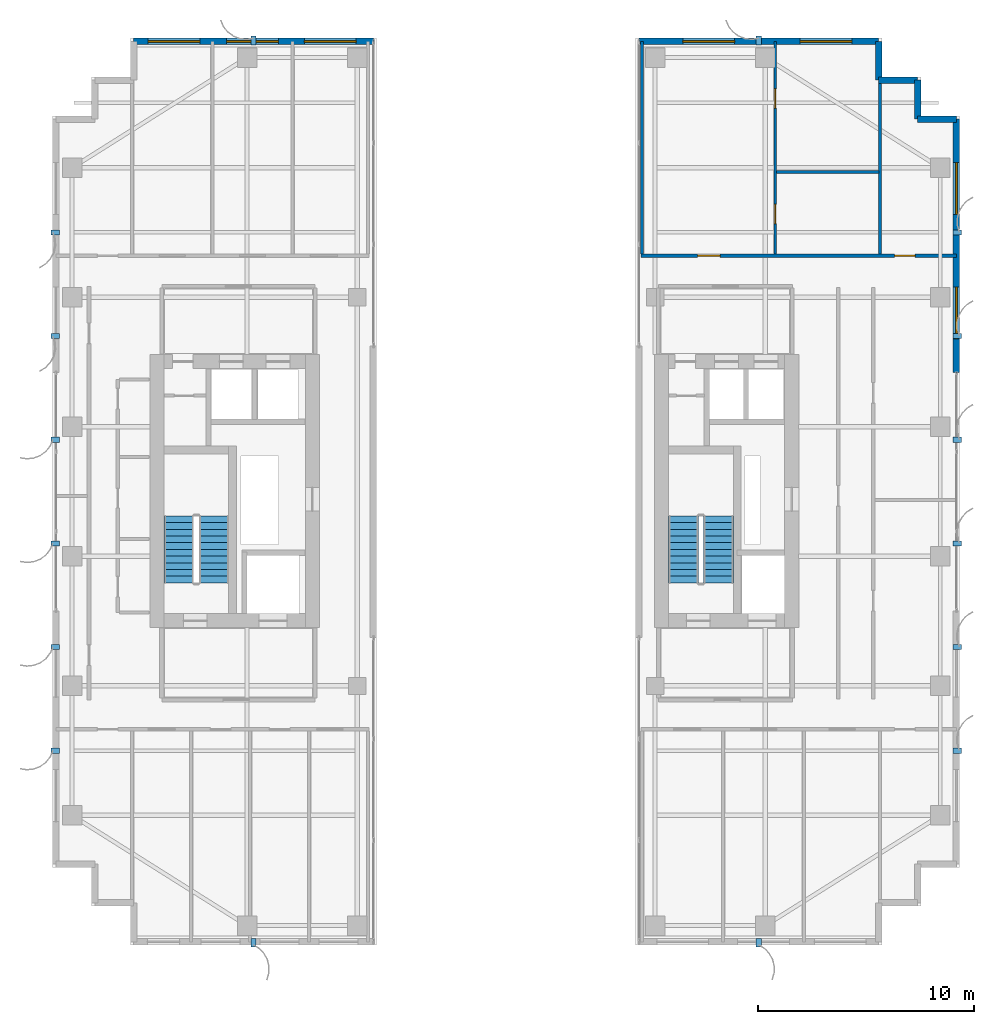
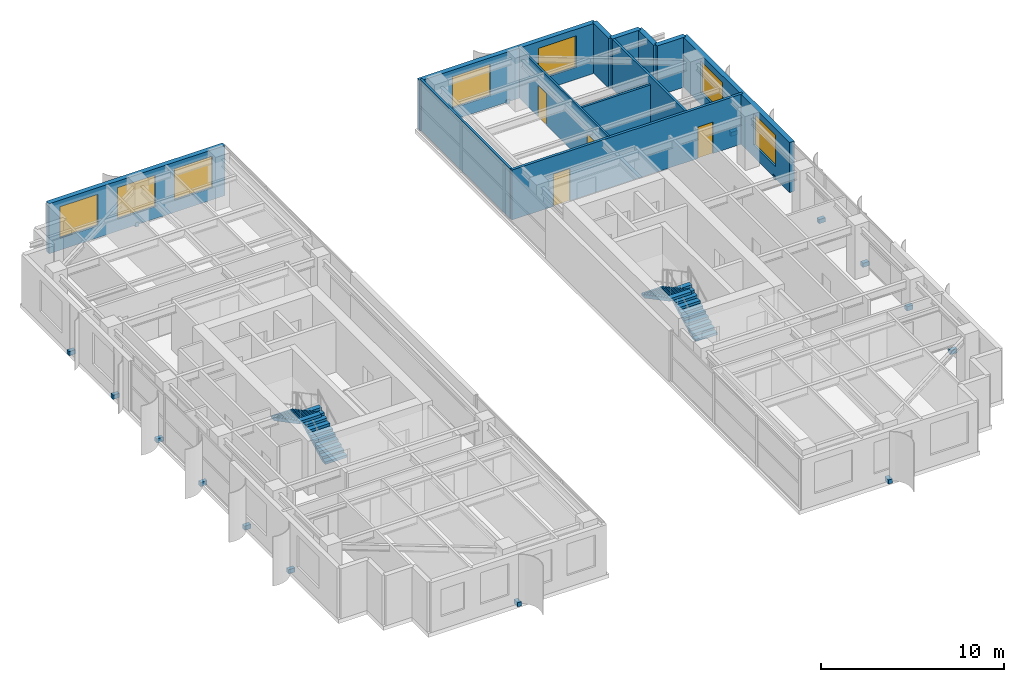
# One storey, part 19 of 22: 16 discrete accessories, 12 walls, 7 windows, 4 doors, 4 stair flights, 11 openings, 2 elements without a shape of their own.
"""IFC4 building model written with IfcOpenShell, lengths in metres."""

from ifc_helpers import new_model, si_unit, direction, frame, frame_2d, origin, origin_2d, place, context, subcontext, project, spatial, polyline, rectangle, outline, extrude, source, transform, mapped, material, layer, layer_set, type_object, element, fill, aggregate, save


model = new_model("IFC4")

# Units and contexts
model_context = context("Model", 3, precision=1e-05, world=origin(), true_north=direction((0.0, 1.0)))
body_context = subcontext(model_context, "Body", "Model", "MODEL_VIEW")
ifc_project = project(units=[si_unit("LENGTHUNIT", "METRE"), si_unit("AREAUNIT", "SQUARE_METRE"), si_unit("VOLUMEUNIT", "CUBIC_METRE"), si_unit("PLANEANGLEUNIT", "RADIAN"), si_unit("MASSUNIT", "GRAM", prefix="KILO")], contexts=[model_context])

# Site, building, storey
site_placement = place(None, origin())
site = spatial("IfcSite", under=ifc_project, at=site_placement, CompositionType="ELEMENT")
building_placement = place(site_placement, origin())
building = spatial("IfcBuilding", under=site, at=building_placement, Name="Khoralis Quay Care Tower", CompositionType="ELEMENT")
storey_placement = place(building_placement, frame((0.0, 0.0, 188.10009765625)))
storey = spatial("IfcBuildingStorey", under=building, at=storey_placement, Name="L49", CompositionType="ELEMENT", Elevation=188.10009765625)

# Wall, openings, doors
ifc_material_1 = material(Name="Gypsum plasterboard on acoustic metal stud")
ifc_layer_1 = layer(ifc_material_1, 0.1650390625)
ifc_layer_set_1 = layer_set([ifc_layer_1], Name="Gypsum plasterboard on acoustic metal stud")
wall_type_1 = type_object("IfcWallType", Name="WL-CORR-165", PredefinedType="PARTITIONING", material=ifc_layer_set_1)
wall_1_placement = place(storey_placement, frame((30.25, 31.919921875, 0.0), z_axis=(0.0, 0.0, 1.0), x_axis=(1.0, 0.0, 0.0)))
wall_1 = element("IfcWall", 1, at=wall_1_placement, inside=storey, type_object=wall_type_1, Name="L49 East Wing North Corridor Wall", PredefinedType="PARTITIONING", context=body_context, shape_type="SweptSolid", body=[
    extrude(rectangle(XDim=14.60498046875, YDim=0.1650390625, at=frame_2d((7.302490234375, 0.0))), origin(), (0.0, 0.0, 1.0), 3.33984375),
])
opening_1_placement = place(wall_1_placement, frame((2.610595703125, 0.0, 0.0)))
opening_1 = element("IfcOpeningElement", 2, at=opening_1_placement, cuts=wall_1, Name="Opening UD1", PredefinedType="OPENING", context=body_context, shape_type="SweptSolid", body=[
    extrude(rectangle(XDim=1.050048828125, YDim=2.14990234375, at=frame_2d((0.52490234375, 1.074951171875))), frame((0.0, 0.092529296875, 0.0), z_axis=(0.0, -1.0, 0.0), x_axis=(1.0, 0.0, 0.0)), (0.0, 0.0, 1.0), 0.18505859375),
])
opening_2_placement = place(wall_1_placement, frame((11.735107421875, 0.0, 0.0)))
opening_2 = element("IfcOpeningElement", 3, at=opening_2_placement, cuts=wall_1, Name="Opening ID1", PredefinedType="OPENING", context=body_context, shape_type="SweptSolid", body=[
    extrude(rectangle(XDim=0.949951171875, YDim=2.10009765625, at=frame_2d((0.47509765625, 1.050048828125))), frame((0.0, 0.092529296875, 0.0), z_axis=(0.0, -1.0, 0.0), x_axis=(1.0, 0.0, 0.0)), (0.0, 0.0, 1.0), 0.18505859375),
])
ifc_material_2 = material(Name="Acoustic hardwood timber", Category="wood")
door_type_1 = type_object("IfcDoorType", Name="DR-ROOM-950X2100", OperationType="NOTDEFINED", PredefinedType="DOOR", material=ifc_material_2)
shared_shape_1 = source(origin(), body_context, "Body", "SweptSolid", [
    extrude(rectangle(XDim=0.949951171875, YDim=2.10009765625, at=frame_2d((0.47509765625, 1.050048828125))), frame((0.0, 0.02490234375, 0.0), z_axis=(0.0, -1.0, 0.0), x_axis=(1.0, 0.0, 0.0)), (0.0, 0.0, 1.0), 0.050048828125),
])
door_1_placement = place(opening_2_placement, origin())
door_1 = element("IfcDoor", 4, at=door_1_placement, inside=storey, type_object=door_type_1, Name="L49 NE Corner Door", OperationType="SINGLE_SWING_LEFT", OverallHeight=2.10009765625, OverallWidth=0.949951171875, PredefinedType="DOOR", context=body_context, shape_type="MappedRepresentation", body=[
    mapped(shared_shape_1, transform((0.0, 0.0, 0.0), scale=1.0)),
])
fill(opening_2, door_1)
door_type_2 = type_object("IfcDoorType", Name="DR-SUITE-1050X2150", OperationType="NOTDEFINED", PredefinedType="DOOR", material=ifc_material_2)
shared_shape_2 = source(origin(), body_context, "Body", "SweptSolid", [
    extrude(rectangle(XDim=1.050048828125, YDim=2.14990234375, at=frame_2d((0.52490234375, 1.074951171875))), frame((0.0, 0.02490234375, 0.0), z_axis=(0.0, -1.0, 0.0), x_axis=(1.0, 0.0, 0.0)), (0.0, 0.0, 1.0), 0.050048828125),
])
door_2_placement = place(opening_1_placement, origin())
door_2 = element("IfcDoor", 5, at=door_2_placement, inside=storey, type_object=door_type_2, Name="L49 Studio EN0 Entrance", OperationType="SINGLE_SWING_RIGHT", OverallHeight=2.14990234375, OverallWidth=1.050048828125, PredefinedType="DOOR", context=body_context, shape_type="MappedRepresentation", body=[
    mapped(shared_shape_2, transform((0.0, 0.0, 0.0), scale=1.0)),
])
fill(opening_1, door_2)

# Wall, openings, windows
ifc_material_3 = material(Name="Precast concrete C45/55", Category="concrete")
ifc_layer_2 = layer(ifc_material_3, 0.300048828125)
ifc_layer_set_2 = layer_set([ifc_layer_2], Name="Precast concrete C45/55")
wall_type_2 = type_object("IfcWallType", Name="WL-EXT-REF-300", PredefinedType="SOLIDWALL", material=ifc_layer_set_2)
wall_2_placement = place(storey_placement, frame((17.85009765625, 41.85009765625, 0.0), z_axis=(0.0, 0.0, 1.0), x_axis=(-1.0, 0.0, 0.0)))
wall_2 = element("IfcWall", 6, at=wall_2_placement, inside=storey, type_object=wall_type_2, Name="L49 External Facade Wall WL-EXT-L49-P1-E2", PredefinedType="SOLIDWALL", context=body_context, shape_type="SweptSolid", body=[
    extrude(rectangle(XDim=11.10009765625, YDim=0.300048828125, at=frame_2d((5.550048828125, 0.0))), origin(), (0.0, 0.0, 1.0), 3.33984375),
])
opening_3_placement = place(wall_2_placement, frame((0.794921875, 0.0, 0.800048828125)))
opening_3 = element("IfcOpeningElement", 7, at=opening_3_placement, cuts=wall_2, Name="Opening W1", PredefinedType="OPENING", context=body_context, shape_type="SweptSolid", body=[
    extrude(rectangle(XDim=2.39990234375, YDim=2.10009765625, at=frame_2d((1.199951171875, 1.050048828125))), frame((0.0, 0.16015625, 0.0), z_axis=(0.0, -1.0, 0.0), x_axis=(1.0, 0.0, 0.0)), (0.0, 0.0, 1.0), 0.320068359375),
])
opening_4_placement = place(wall_2_placement, frame((4.39990234375, 0.0, 0.800048828125)))
opening_4 = element("IfcOpeningElement", 8, at=opening_4_placement, cuts=wall_2, Name="Opening W1", PredefinedType="OPENING", context=body_context, shape_type="SweptSolid", body=[
    extrude(rectangle(XDim=2.39990234375, YDim=2.10009765625, at=frame_2d((1.199951171875, 1.050048828125))), frame((0.0, 0.16015625, 0.0), z_axis=(0.0, -1.0, 0.0), x_axis=(1.0, 0.0, 0.0)), (0.0, 0.0, 1.0), 0.320068359375),
])
opening_5_placement = place(wall_2_placement, frame((8.030029296875, 0.0, 0.800048828125)))
opening_5 = element("IfcOpeningElement", 9, at=opening_5_placement, cuts=wall_2, Name="Opening W1", PredefinedType="OPENING", context=body_context, shape_type="SweptSolid", body=[
    extrude(rectangle(XDim=2.39990234375, YDim=2.10009765625, at=frame_2d((1.199951171875, 1.050048828125))), frame((0.0, 0.16015625, 0.0), z_axis=(0.0, -1.0, 0.0), x_axis=(1.0, 0.0, 0.0)), (0.0, 0.0, 1.0), 0.320068359375),
])
ifc_material_4 = material(Name="Low-E solar-control double glazing", Category="glass")
window_type = type_object("IfcWindowType", Name="WN-POD-2400X2100", PartitioningType="SINGLE_PANEL", PredefinedType="WINDOW", material=ifc_material_4)
shared_shape_3 = source(origin(), body_context, "Body", "SweptSolid", [
    extrude(rectangle(XDim=2.39990234375, YDim=2.10009765625, at=frame_2d((1.199951171875, 1.050048828125))), frame((0.0, 0.030029296875, 0.0), z_axis=(0.0, -1.0, 0.0), x_axis=(1.0, 0.0, 0.0)), (0.0, 0.0, 1.0), 0.06005859375),
])
window_1_placement = place(opening_3_placement, origin())
window_1 = element("IfcWindow", 10, at=window_1_placement, inside=storey, type_object=window_type, Name="WN-L49-P1-E2 Facade Window 01", OverallHeight=2.10009765625, OverallWidth=2.39990234375, PartitioningType="SINGLE_PANEL", PredefinedType="WINDOW", context=body_context, shape_type="MappedRepresentation", body=[
    mapped(shared_shape_3, transform((0.0, 0.0, 0.0), scale=1.0)),
])
fill(opening_3, window_1)
window_2_placement = place(opening_4_placement, origin())
window_2 = element("IfcWindow", 11, at=window_2_placement, inside=storey, type_object=window_type, Name="WN-L49-P1-E2 Facade Window 02", OverallHeight=2.10009765625, OverallWidth=2.39990234375, PartitioningType="SINGLE_PANEL", PredefinedType="WINDOW", context=body_context, shape_type="MappedRepresentation", body=[
    mapped(shared_shape_3, transform((0.0, 0.0, 0.0), scale=1.0)),
])
fill(opening_4, window_2)
window_3_placement = place(opening_5_placement, origin())
window_3 = element("IfcWindow", 12, at=window_3_placement, inside=storey, type_object=window_type, Name="WN-L49-P1-E2 Facade Window 03", OverallHeight=2.10009765625, OverallWidth=2.39990234375, PartitioningType="SINGLE_PANEL", PredefinedType="WINDOW", context=body_context, shape_type="MappedRepresentation", body=[
    mapped(shared_shape_3, transform((0.0, 0.0, 0.0), scale=1.0)),
])
fill(opening_5, window_3)

wall_3_placement = place(storey_placement, frame((44.85009765625, 26.52001953125, 0.0), z_axis=(0.0, 0.0, 1.0), x_axis=(0.0, 1.0, 0.0)))
wall_3 = element("IfcWall", 13, at=wall_3_placement, inside=storey, type_object=wall_type_2, Name="L49 External Facade Wall WL-EXT-L49-P2-E5B", PredefinedType="SOLIDWALL", context=body_context, shape_type="SweptSolid", body=[
    extrude(rectangle(XDim=11.72998046875, YDim=0.300048828125, at=frame_2d((5.864990234375, 0.0))), origin(), (0.0, 0.0, 1.0), 3.33984375),
])
opening_6_placement = place(wall_3_placement, frame((1.550048828125, 0.0, 0.800048828125)))
opening_6 = element("IfcOpeningElement", 14, at=opening_6_placement, cuts=wall_3, Name="Opening W1", PredefinedType="OPENING", context=body_context, shape_type="SweptSolid", body=[
    extrude(rectangle(XDim=2.39990234375, YDim=2.10009765625, at=frame_2d((1.199951171875, 1.050048828125))), frame((0.0, 0.16015625, 0.0), z_axis=(0.0, -1.0, 0.0), x_axis=(1.0, 0.0, 0.0)), (0.0, 0.0, 1.0), 0.320068359375),
])
opening_7_placement = place(wall_3_placement, frame((7.31494140625, 0.0, 0.800048828125)))
opening_7 = element("IfcOpeningElement", 15, at=opening_7_placement, cuts=wall_3, Name="Opening W1", PredefinedType="OPENING", context=body_context, shape_type="SweptSolid", body=[
    extrude(rectangle(XDim=2.39990234375, YDim=2.10009765625, at=frame_2d((1.199951171875, 1.050048828125))), frame((0.0, 0.16015625, 0.0), z_axis=(0.0, -1.0, 0.0), x_axis=(1.0, 0.0, 0.0)), (0.0, 0.0, 1.0), 0.320068359375),
])
window_4_placement = place(opening_6_placement, origin())
window_4 = element("IfcWindow", 16, at=window_4_placement, inside=storey, type_object=window_type, Name="WN-L49-P2-E5B Facade Window 01", OverallHeight=2.10009765625, OverallWidth=2.39990234375, PartitioningType="SINGLE_PANEL", PredefinedType="WINDOW", context=body_context, shape_type="MappedRepresentation", body=[
    mapped(shared_shape_3, transform((0.0, 0.0, 0.0), scale=1.0)),
])
fill(opening_6, window_4)
window_5_placement = place(opening_7_placement, origin())
window_5 = element("IfcWindow", 17, at=window_5_placement, inside=storey, type_object=window_type, Name="WN-L49-P2-E5B Facade Window 02", OverallHeight=2.10009765625, OverallWidth=2.39990234375, PartitioningType="SINGLE_PANEL", PredefinedType="WINDOW", context=body_context, shape_type="MappedRepresentation", body=[
    mapped(shared_shape_3, transform((0.0, 0.0, 0.0), scale=1.0)),
])
fill(opening_7, window_5)

# Walls
for number, where, z_axis, x_axis, name in (
    (18, (44.85009765625, 38.25, 0.0), (0.0, 0.0, 1.0), (-1.0, 0.0, 0.0), "L49 External Facade Wall WL-EXT-L49-P2-C6"),
    (19, (43.050048828125, 38.25, 0.0), (0.0, 0.0, 1.0), (0.0, 1.0, 0.0), "L49 External Facade Wall WL-EXT-L49-P2-C7"),
    (20, (43.050048828125, 40.050048828125, 0.0), (0.0, 0.0, 1.0), (-1.0, 0.0, 0.0), "L49 External Facade Wall WL-EXT-L49-P2-C8"),
    (21, (41.25, 40.050048828125, 0.0), (0.0, 0.0, 1.0), (0.0, 1.0, 0.0), "L49 External Facade Wall WL-EXT-L49-P2-C9"),
):
    element("IfcWall", number, at=place(storey_placement, frame(where, z_axis=z_axis, x_axis=x_axis)), inside=storey, type_object=wall_type_2, Name=name, PredefinedType="SOLIDWALL", context=body_context, shape_type="SweptSolid", body=[
        extrude(rectangle(XDim=1.800048828125, YDim=0.300048828125, at=frame_2d((0.89990234375, 0.0))), origin(), (0.0, 0.0, 1.0), 3.33984375),
    ])

# Wall, openings, windows
wall_4_placement = place(storey_placement, frame((41.25, 41.85009765625, 0.0), z_axis=(0.0, 0.0, 1.0), x_axis=(-1.0, 0.0, 0.0)))
wall_4 = element("IfcWall", 22, at=wall_4_placement, inside=storey, type_object=wall_type_2, Name="L49 External Facade Wall WL-EXT-L49-P2-E10", PredefinedType="SOLIDWALL", context=body_context, shape_type="SweptSolid", body=[
    extrude(rectangle(XDim=11.10009765625, YDim=0.300048828125, at=frame_2d((5.550048828125, 0.0))), origin(), (0.0, 0.0, 1.0), 3.33984375),
])
opening_8_placement = place(wall_4_placement, frame((1.239501953125, 0.0, 0.800048828125)))
opening_8 = element("IfcOpeningElement", 23, at=opening_8_placement, cuts=wall_4, Name="Opening W1", PredefinedType="OPENING", context=body_context, shape_type="SweptSolid", body=[
    extrude(rectangle(XDim=2.39990234375, YDim=2.10009765625, at=frame_2d((1.199951171875, 1.050048828125))), frame((0.0, 0.16015625, 0.0), z_axis=(0.0, -1.0, 0.0), x_axis=(1.0, 0.0, 0.0)), (0.0, 0.0, 1.0), 0.320068359375),
])
opening_9_placement = place(wall_4_placement, frame((6.66455078125, 0.0, 0.800048828125)))
opening_9 = element("IfcOpeningElement", 24, at=opening_9_placement, cuts=wall_4, Name="Opening W1", PredefinedType="OPENING", context=body_context, shape_type="SweptSolid", body=[
    extrude(rectangle(XDim=2.39990234375, YDim=2.10009765625, at=frame_2d((1.199951171875, 1.050048828125))), frame((0.0, 0.16015625, 0.0), z_axis=(0.0, -1.0, 0.0), x_axis=(1.0, 0.0, 0.0)), (0.0, 0.0, 1.0), 0.320068359375),
])
window_6_placement = place(opening_8_placement, origin())
window_6 = element("IfcWindow", 25, at=window_6_placement, inside=storey, type_object=window_type, Name="WN-L49-P2-E10 Facade Window 01", OverallHeight=2.10009765625, OverallWidth=2.39990234375, PartitioningType="SINGLE_PANEL", PredefinedType="WINDOW", context=body_context, shape_type="MappedRepresentation", body=[
    mapped(shared_shape_3, transform((0.0, 0.0, 0.0), scale=1.0)),
])
fill(opening_8, window_6)
window_7_placement = place(opening_9_placement, origin())
window_7 = element("IfcWindow", 26, at=window_7_placement, inside=storey, type_object=window_type, Name="WN-L49-P2-E10 Facade Window 02", OverallHeight=2.10009765625, OverallWidth=2.39990234375, PartitioningType="SINGLE_PANEL", PredefinedType="WINDOW", context=body_context, shape_type="MappedRepresentation", body=[
    mapped(shared_shape_3, transform((0.0, 0.0, 0.0), scale=1.0)),
])
fill(opening_9, window_7)

# Wall, openings, doors
ifc_layer_3 = layer(ifc_material_1, 0.114990234375)
ifc_layer_set_3 = layer_set([ifc_layer_3], Name="Gypsum plasterboard on acoustic metal stud")
wall_type_3 = type_object("IfcWallType", Name="WL-PART-115", PredefinedType="PARTITIONING", material=ifc_layer_set_3)
wall_5_placement = place(storey_placement, frame((36.470947265625, 31.99755859375, 0.0), z_axis=(0.0, 0.0, 1.0), x_axis=(0.0, 1.0, 0.0)))
wall_5 = element("IfcWall", 27, at=wall_5_placement, inside=storey, type_object=wall_type_3, Name="L49 Studio 0 Internal Wall", PredefinedType="PARTITIONING", context=body_context, shape_type="SweptSolid", body=[
    extrude(rectangle(XDim=9.857421875, YDim=0.114990234375, at=frame_2d((4.9287109375, 0.0))), origin(), (0.0, 0.0, 1.0), 3.33984375),
])
opening_10_placement = place(wall_5_placement, frame((6.757568359375, 0.0, 0.0)))
opening_10 = element("IfcOpeningElement", 28, at=opening_10_placement, cuts=wall_5, Name="Opening WD1", PredefinedType="OPENING", context=body_context, shape_type="SweptSolid", body=[
    extrude(rectangle(XDim=0.89990234375, YDim=2.10009765625, at=frame_2d((0.449951171875, 1.050048828125))), frame((0.0, 0.0673828125, 0.0), z_axis=(0.0, -1.0, 0.0), x_axis=(1.0, 0.0, 0.0)), (0.0, 0.0, 1.0), 0.135009765625),
])
opening_11_placement = place(wall_5_placement, frame((1.407470703125, 0.0, 0.0)))
opening_11 = element("IfcOpeningElement", 29, at=opening_11_placement, cuts=wall_5, Name="Opening WD1", PredefinedType="OPENING", context=body_context, shape_type="SweptSolid", body=[
    extrude(rectangle(XDim=0.89990234375, YDim=2.10009765625, at=frame_2d((0.449951171875, 1.050048828125))), frame((0.0, 0.0673828125, 0.0), z_axis=(0.0, -1.0, 0.0), x_axis=(1.0, 0.0, 0.0)), (0.0, 0.0, 1.0), 0.135009765625),
])
door_type_3 = type_object("IfcDoorType", Name="DR-BATH-900X2100", OperationType="NOTDEFINED", PredefinedType="DOOR", material=ifc_material_2)
shared_shape_4 = source(origin(), body_context, "Body", "SweptSolid", [
    extrude(rectangle(XDim=0.89990234375, YDim=2.10009765625, at=frame_2d((0.449951171875, 1.050048828125))), frame((0.0, 0.02490234375, 0.0), z_axis=(0.0, -1.0, 0.0), x_axis=(1.0, 0.0, 0.0)), (0.0, 0.0, 1.0), 0.050048828125),
])
door_3_placement = place(opening_10_placement, frame((0.89990234375, 0.0, 0.0), z_axis=(0.0, 0.0, 1.0), x_axis=(-1.0, 0.0, 0.0)))
door_3 = element("IfcDoor", 30, at=door_3_placement, inside=storey, type_object=door_type_3, Name="L49 Studio SKT Door", OperationType="SINGLE_SWING_LEFT", OverallHeight=2.10009765625, OverallWidth=0.89990234375, PredefinedType="DOOR", context=body_context, shape_type="MappedRepresentation", body=[
    mapped(shared_shape_4, transform((0.0, 0.0, 0.0), scale=1.0)),
])
fill(opening_10, door_3)
door_4_placement = place(opening_11_placement, frame((0.89990234375, 0.0, 0.0), z_axis=(0.0, 0.0, 1.0), x_axis=(-1.0, 0.0, 0.0)))
door_4 = element("IfcDoor", 31, at=door_4_placement, inside=storey, type_object=door_type_3, Name="L49 Studio SBH Door", OperationType="SINGLE_SWING_RIGHT", OverallHeight=2.10009765625, OverallWidth=0.89990234375, PredefinedType="DOOR", context=body_context, shape_type="MappedRepresentation", body=[
    mapped(shared_shape_4, transform((0.0, 0.0, 0.0), scale=1.0)),
])
fill(opening_11, door_4)

# Walls
ifc_material_5 = material(Name="Moisture-resistant gypsum and ceramic tile")
ifc_layer_4 = layer(ifc_material_5, 0.280029296875)
ifc_layer_set_4 = layer_set([ifc_layer_4], Name="Moisture-resistant gypsum and ceramic tile")
wall_type_4 = type_object("IfcWallType", Name="WL-PLUMB-280", PredefinedType="PLUMBINGWALL", material=ifc_layer_set_4)
wall_6_placement = place(storey_placement, frame((36.5234375, 35.81005859375, 0.0), z_axis=(0.0, 0.0, 1.0), x_axis=(1.0, 0.0, 0.0)))
element("IfcWall", 32, at=wall_6_placement, inside=storey, type_object=wall_type_4, Name="L49 Studio 0 Wet Split", PredefinedType="PLUMBINGWALL", context=body_context, shape_type="SweptSolid", body=[
    extrude(rectangle(XDim=4.7314453125, YDim=0.139892578125, at=frame_2d((2.36572265625, 0.0))), origin(), (0.0, 0.0, 1.0), 2.806884765625),
])
ifc_layer_5 = layer(ifc_material_1, 0.139892578125)
ifc_layer_set_5 = layer_set([ifc_layer_5], Name="Gypsum plasterboard on acoustic metal stud")
wall_type_5 = type_object("IfcWallType", Name="WL-UNIT-140", PredefinedType="PARTITIONING", material=ifc_layer_set_5)
wall_7_placement = place(storey_placement, frame((30.300048828125, 31.99755859375, 0.0), z_axis=(0.0, 0.0, 1.0), x_axis=(0.0, 1.0, 0.0)))
element("IfcWall", 33, at=wall_7_placement, inside=storey, type_object=wall_type_5, Name="L49 EN Demising Wall 0", PredefinedType="PARTITIONING", context=body_context, shape_type="SweptSolid", body=[
    extrude(rectangle(XDim=9.857421875, YDim=0.139892578125, at=frame_2d((4.9287109375, 0.0))), origin(), (0.0, 0.0, 1.0), 3.33984375),
])
wall_8_placement = place(storey_placement, frame((41.320068359375, 31.99755859375, 0.0), z_axis=(0.0, 0.0, 1.0), x_axis=(0.0, 1.0, 0.0)))
element("IfcWall", 34, at=wall_8_placement, inside=storey, type_object=wall_type_5, Name="L49 EN Demising Wall 1", PredefinedType="PARTITIONING", context=body_context, shape_type="SweptSolid", body=[
    extrude(rectangle(XDim=8.057373046875, YDim=0.139892578125, at=frame_2d((4.02880859375, 0.0))), origin(), (0.0, 0.0, 1.0), 3.33984375),
])

# Stair, stair flights
stair_type = type_object("IfcStairType", Name="ST-TWR-DOGLEG-1400", PredefinedType="HALF_TURN_STAIR", material=ifc_material_3)
stair_1_placement = place(storey_placement, origin())
stair_1 = element("IfcStair", 35, at=stair_1_placement, inside=storey, type_object=stair_type, Name="L49 West Core Exit Stair ST-T1", PredefinedType="HALF_TURN_STAIR")
stair_flight_type = type_object("IfcStairFlightType", Name="SF-TWR-1400", PredefinedType="STRAIGHT", material=ifc_material_3)
shared_shape_5 = source(origin(), body_context, "Body", "SweptSolid", [
    extrude(outline(polyline([(0.0, 0.0), (0.0, 0.16357421875), (0.31005859375, 0.16357421875), (0.31005859375, 0.327392578125), (0.6201171875, 0.327392578125), (0.6201171875, 0.490966796875), (0.929931640625, 0.490966796875), (0.929931640625, 0.654541015625), (1.239990234375, 0.654541015625), (1.239990234375, 0.818115234375), (1.550048828125, 0.818115234375), (1.550048828125, 0.98193359375), (1.860107421875, 0.98193359375), (1.860107421875, 1.1455078125), (2.169921875, 1.1455078125), (2.169921875, 1.30908203125), (2.47998046875, 1.30908203125), (2.47998046875, 1.47265625), (2.7900390625, 1.47265625), (2.7900390625, 1.636474609375), (3.10009765625, 1.636474609375), (3.10009765625, 1.800048828125), (3.10009765625, 1.466796875), (0.321044921875, 0.0), (0.0, 0.0)])), frame((0.0, 0.68994140625, 0.0), z_axis=(0.0, -1.0, 0.0), x_axis=(1.0, 0.0, 0.0)), (0.0, 0.0, 1.0), 1.3798828125),
])
stair_flight_1_placement = place(storey_placement, frame((10.4599609375, 16.77001953125, 0.0), z_axis=(0.0, 0.0, 1.0), x_axis=(0.0, 1.0, 0.0)))
stair_flight_1 = element("IfcStairFlight", 36, at=stair_flight_1_placement, type_object=stair_flight_type, Name="ST-T1 flight 1", NumberOfRisers=11, NumberOfTreads=10, PredefinedType="STRAIGHT", RiserHeight=0.163636364, TreadLength=0.31, context=body_context, shape_type="MappedRepresentation", body=[
    mapped(shared_shape_5, transform((0.0, 0.0, 0.0), scale=1.0)),
])
stair_flight_2_placement = place(storey_placement, frame((8.840087890625, 19.8701171875, 1.7998046875), z_axis=(0.0, 0.0, 1.0), x_axis=(0.0, -1.0, 0.0)))
stair_flight_2 = element("IfcStairFlight", 37, at=stair_flight_2_placement, type_object=stair_flight_type, Name="ST-T1 flight 2", NumberOfRisers=11, NumberOfTreads=10, PredefinedType="STRAIGHT", RiserHeight=0.163636364, TreadLength=0.31, context=body_context, shape_type="MappedRepresentation", body=[
    mapped(shared_shape_5, transform((0.0, 0.0, 0.0), scale=1.0)),
])
aggregate(stair_1, [stair_flight_1, stair_flight_2])

stair_2_placement = place(storey_placement, origin())
stair_2 = element("IfcStair", 38, at=stair_2_placement, inside=storey, type_object=stair_type, Name="L49 East Core Exit Stair ST-T2", PredefinedType="HALF_TURN_STAIR")
stair_flight_3_placement = place(storey_placement, frame((33.830078125, 16.77001953125, 0.0), z_axis=(0.0, 0.0, 1.0), x_axis=(0.0, 1.0, 0.0)))
stair_flight_3 = element("IfcStairFlight", 39, at=stair_flight_3_placement, type_object=stair_flight_type, Name="ST-T2 flight 1", NumberOfRisers=11, NumberOfTreads=10, PredefinedType="STRAIGHT", RiserHeight=0.163636364, TreadLength=0.31, context=body_context, shape_type="MappedRepresentation", body=[
    mapped(shared_shape_5, transform((0.0, 0.0, 0.0), scale=1.0)),
])
stair_flight_4_placement = place(storey_placement, frame((32.2099609375, 19.8701171875, 1.7998046875), z_axis=(0.0, 0.0, 1.0), x_axis=(0.0, -1.0, 0.0)))
stair_flight_4 = element("IfcStairFlight", 40, at=stair_flight_4_placement, type_object=stair_flight_type, Name="ST-T2 flight 2", NumberOfRisers=11, NumberOfTreads=10, PredefinedType="STRAIGHT", RiserHeight=0.163636364, TreadLength=0.31, context=body_context, shape_type="MappedRepresentation", body=[
    mapped(shared_shape_5, transform((0.0, 0.0, 0.0), scale=1.0)),
])
aggregate(stair_2, [stair_flight_3, stair_flight_4])

# Discrete accessories
ifc_material_6 = material(Name="Brushed stainless steel", Category="steel")
discrete_accessory_type = type_object("IfcDiscreteAccessoryType", Name="ACC-FIN-BRACKET", PredefinedType="BRACKET", material=ifc_material_6)
shared_shape_6 = source(origin(), body_context, "Body", "SweptSolid", [
    extrude(rectangle(XDim=0.39990234375, YDim=0.239990234375, at=origin_2d()), origin(), (0.0, 0.0, 1.0), 0.280029296875),
])
for number, where, z_axis, x_axis, name in (
    (41, (12.300048828125, 0.110107421875, -0.1201171875), (0.0, 0.0, 1.0), (0.0, -1.0, 0.0), "L49 Solar Fin Bracket P1E0-01"),
    (42, (12.300048828125, 41.889892578125, -0.1201171875), (0.0, 0.0, 1.0), (0.0, 1.0, 0.0), "L49 Solar Fin Bracket P1E2-01"),
    (43, (3.110107421875, 33.0, -0.1201171875), (0.0, 0.0, 1.0), (-1.0, 0.0, 0.0), "L49 Solar Fin Bracket P1E7-01"),
    (44, (3.110107421875, 28.199951171875, -0.1201171875), (0.0, 0.0, 1.0), (-1.0, 0.0, 0.0), "L49 Solar Fin Bracket P1E7-02"),
    (45, (3.110107421875, 23.39990234375, -0.1201171875), (0.0, 0.0, 1.0), (-1.0, 0.0, 0.0), "L49 Solar Fin Bracket P1E7-03"),
    (46, (3.110107421875, 18.60009765625, -0.1201171875), (0.0, 0.0, 1.0), (-1.0, 0.0, 0.0), "L49 Solar Fin Bracket P1E7-04"),
    (47, (3.110107421875, 13.800048828125, -0.1201171875), (0.0, 0.0, 1.0), (-1.0, 0.0, 0.0), "L49 Solar Fin Bracket P1E7-05"),
    (48, (3.110107421875, 9.0, -0.1201171875), (0.0, 0.0, 1.0), (-1.0, 0.0, 0.0), "L49 Solar Fin Bracket P1E7-06"),
    (49, (35.699951171875, 0.110107421875, -0.1201171875), (0.0, 0.0, 1.0), (0.0, -1.0, 0.0), "L49 Solar Fin Bracket P2E0-01"),
    (50, (44.889892578125, 9.0, -0.1201171875), (0.0, 0.0, 1.0), (1.0, 0.0, 0.0), "L49 Solar Fin Bracket P2E5-01"),
    (51, (44.889892578125, 13.800048828125, -0.1201171875), (0.0, 0.0, 1.0), (1.0, 0.0, 0.0), "L49 Solar Fin Bracket P2E5-02"),
    (52, (44.889892578125, 18.60009765625, -0.1201171875), (0.0, 0.0, 1.0), (1.0, 0.0, 0.0), "L49 Solar Fin Bracket P2E5-03"),
    (53, (44.889892578125, 23.39990234375, -0.1201171875), (0.0, 0.0, 1.0), (1.0, 0.0, 0.0), "L49 Solar Fin Bracket P2E5-04"),
    (54, (44.889892578125, 28.199951171875, -0.1201171875), (0.0, 0.0, 1.0), (1.0, 0.0, 0.0), "L49 Solar Fin Bracket P2E5-05"),
    (55, (44.889892578125, 33.0, -0.1201171875), (0.0, 0.0, 1.0), (1.0, 0.0, 0.0), "L49 Solar Fin Bracket P2E5-06"),
    (56, (35.699951171875, 41.889892578125, -0.1201171875), (0.0, 0.0, 1.0), (0.0, 1.0, 0.0), "L49 Solar Fin Bracket P2E10-01"),
):
    element("IfcDiscreteAccessory", number, at=place(storey_placement, frame(where, z_axis=z_axis, x_axis=x_axis)), inside=storey, type_object=discrete_accessory_type, Name=name, PredefinedType="BRACKET", context=body_context, shape_type="MappedRepresentation", body=[
        mapped(shared_shape_6, transform((0.0, 0.0, 0.0), scale=1.0)),
    ])

save(model, "model.ifc")
